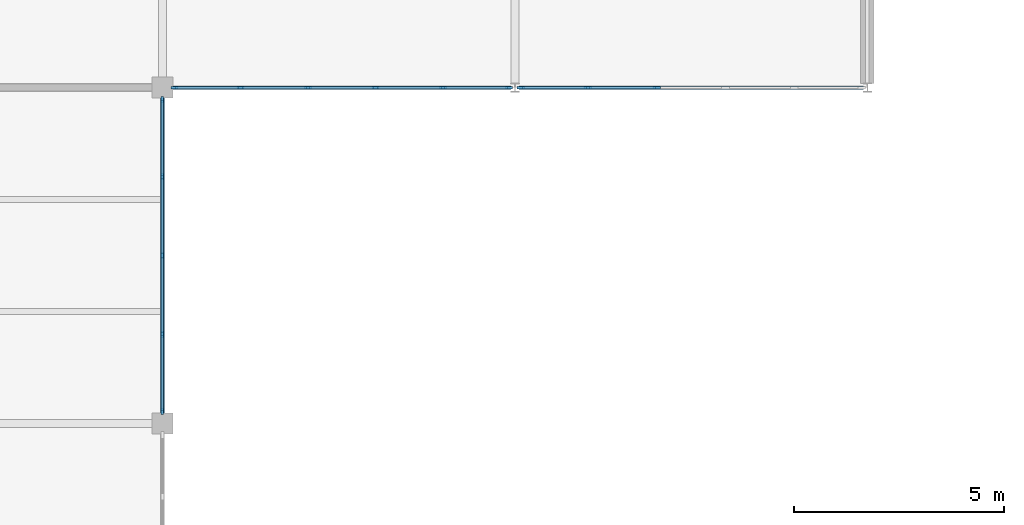
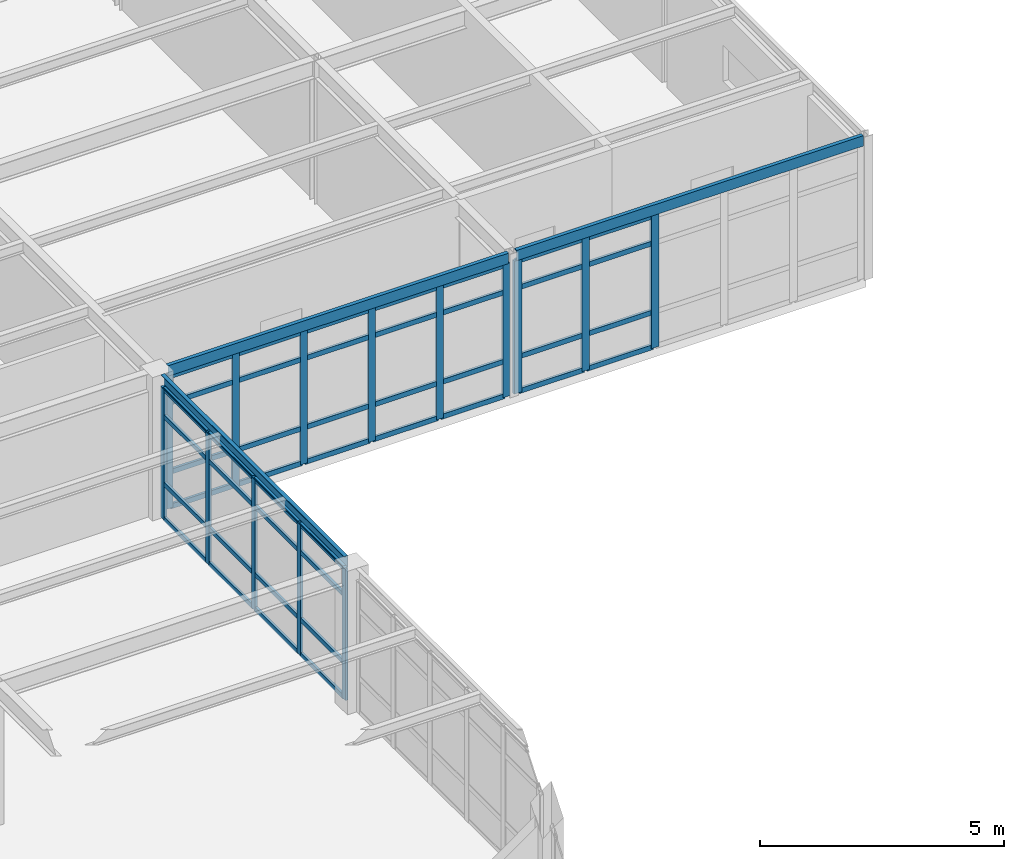
# One storey, part 14 of 32: 58 members, 3 beams, 3 elements without a shape of their own.
"""IFC4 building model written with IfcOpenShell, lengths in metres."""

from ifc_helpers import new_model, si_unit, direction, frame, origin, origin_2d, place, context, subcontext, project, spatial, rectangle, u_section, extrude, material, layer, layer_set, material_profile, profile_set, type_object, element, aggregate, save


model = new_model("IFC4")

# Units and contexts
model_context = context("Model", 3, precision=1e-05, world=origin(), true_north=direction((0.0, 1.0)))
body_context = subcontext(model_context, "Body", "Model", "MODEL_VIEW")
ifc_project = project(units=[si_unit("LENGTHUNIT", "METRE"), si_unit("AREAUNIT", "SQUARE_METRE"), si_unit("VOLUMEUNIT", "CUBIC_METRE"), si_unit("PLANEANGLEUNIT", "RADIAN"), si_unit("MASSUNIT", "GRAM", prefix="KILO")], contexts=[model_context])

# Site, building, storey
site_placement = place(None, origin())
site = spatial("IfcSite", under=ifc_project, at=site_placement, CompositionType="ELEMENT")
building_placement = place(site_placement, origin())
building = spatial("IfcBuilding", under=site, at=building_placement, Name="Kranzveld Transit Interchange", CompositionType="ELEMENT")
storey_placement = place(building_placement, frame((0.0, 0.0, 17.199951171875)))
storey = spatial("IfcBuildingStorey", under=building, at=storey_placement, Name="L04", CompositionType="ELEMENT", Elevation=17.199951171875)

# Curtain wall, members
ifc_material_1 = material(Name="Bronze-anodised thermally broken aluminium", Category="aluminium")
ifc_layer_1 = layer(ifc_material_1, 0.159912109375)
ifc_layer_set_1 = layer_set([ifc_layer_1], Name="Bronze-anodised thermally broken aluminium")
curtain_wall_type_1 = type_object("IfcCurtainWallType", Name="Bus Boarding Glazed Screen CW-3", PredefinedType="USERDEFINED", material=ifc_layer_set_1)
curtain_wall_1_placement = place(storey_placement, origin())
curtain_wall_1 = element("IfcCurtainWall", 1, at=curtain_wall_1_placement, inside=storey, type_object=curtain_wall_type_1, Name="L04 Curtain Wall 05/L-05/M", ObjectType="CURTAIN WALL", PredefinedType="USERDEFINED")
ifc_material_2 = material(Name="Bronze-anodised thermally broken aluminium", Category="aluminium")
ifc_material_profile_1 = material_profile(ifc_material_2, rectangle(XDim=0.06005859375, YDim=0.14990234375, at=origin_2d()), Name="ALU MULLION 60x150")
ifc_profile_set_1 = profile_set([ifc_material_profile_1], Name="Bronze-anodised thermally broken aluminium")
member_type_1 = type_object("IfcMemberType", Name="Curtain Wall Mullion 60x150 Alu", PredefinedType="MULLION", material=ifc_profile_set_1)
member_1_placement = place(storey_placement, frame((33.60009765625, 80.280029296875, 0.0), z_axis=(0.0, 0.0, 1.0), x_axis=(-1.0, 0.0, 0.0)))
member_1 = element("IfcMember", 2, at=member_1_placement, type_object=member_type_1, Name="CW-3 mullion 1", PredefinedType="MULLION", context=body_context, shape_type="SweptSolid", body=[
    extrude(rectangle(XDim=0.06005859375, YDim=0.14990234375, at=origin_2d()), origin(), (0.0, 0.0, 1.0), 3.2900390625),
])
member_2_placement = place(storey_placement, frame((33.60009765625, 82.125, 0.0), z_axis=(0.0, 0.0, 1.0), x_axis=(-1.0, 0.0, 0.0)))
member_2 = element("IfcMember", 3, at=member_2_placement, type_object=member_type_1, Name="CW-3 mullion 2", PredefinedType="MULLION", context=body_context, shape_type="SweptSolid", body=[
    extrude(rectangle(XDim=0.06005859375, YDim=0.14990234375, at=origin_2d()), origin(), (0.0, 0.0, 1.0), 3.2900390625),
])
member_3_placement = place(storey_placement, frame((33.60009765625, 84.0, 0.0), z_axis=(0.0, 0.0, 1.0), x_axis=(-1.0, 0.0, 0.0)))
member_3 = element("IfcMember", 4, at=member_3_placement, type_object=member_type_1, Name="CW-3 mullion 3", PredefinedType="MULLION", context=body_context, shape_type="SweptSolid", body=[
    extrude(rectangle(XDim=0.06005859375, YDim=0.14990234375, at=origin_2d()), origin(), (0.0, 0.0, 1.0), 3.2900390625),
])
member_4_placement = place(storey_placement, frame((33.60009765625, 85.875, 0.0), z_axis=(0.0, 0.0, 1.0), x_axis=(-1.0, 0.0, 0.0)))
member_4 = element("IfcMember", 5, at=member_4_placement, type_object=member_type_1, Name="CW-3 mullion 4", PredefinedType="MULLION", context=body_context, shape_type="SweptSolid", body=[
    extrude(rectangle(XDim=0.06005859375, YDim=0.14990234375, at=origin_2d()), origin(), (0.0, 0.0, 1.0), 3.2900390625),
])
member_5_placement = place(storey_placement, frame((33.60009765625, 87.719970703125, 0.0), z_axis=(0.0, 0.0, 1.0), x_axis=(-1.0, 0.0, 0.0)))
member_5 = element("IfcMember", 6, at=member_5_placement, type_object=member_type_1, Name="CW-3 mullion 5", PredefinedType="MULLION", context=body_context, shape_type="SweptSolid", body=[
    extrude(rectangle(XDim=0.06005859375, YDim=0.14990234375, at=origin_2d()), origin(), (0.0, 0.0, 1.0), 3.2900390625),
])

ifc_material_3 = material(Name="Bronze-anodised thermally broken aluminium", Category="aluminium")
ifc_layer_2 = layer(ifc_material_3, 0.155029296875)
ifc_layer_set_2 = layer_set([ifc_layer_2], Name="Bronze-anodised thermally broken aluminium")
curtain_wall_type_2 = type_object("IfcCurtainWallType", Name="Operations Courtyard Glazed Screen CW-6", PredefinedType="USERDEFINED", material=ifc_layer_set_2)
curtain_wall_2_placement = place(storey_placement, origin())
curtain_wall_2 = element("IfcCurtainWall", 7, at=curtain_wall_2_placement, inside=storey, type_object=curtain_wall_type_2, Name="L04 Curtain Wall 05/M-06/M", ObjectType="CURTAIN WALL", PredefinedType="USERDEFINED")
ifc_material_4 = material(Name="Bronze-anodised thermally broken aluminium", Category="aluminium")
ifc_material_profile_2 = material_profile(ifc_material_4, rectangle(XDim=0.06494140625, YDim=0.1650390625, at=origin_2d()), Name="ALU MULLION 65x165")
ifc_profile_set_2 = profile_set([ifc_material_profile_2], Name="Bronze-anodised thermally broken aluminium")
member_type_2 = type_object("IfcMemberType", Name="Curtain Wall Mullion 65x165 Alu", PredefinedType="MULLION", material=ifc_profile_set_2)
member_6_placement = place(storey_placement, frame((33.882568359375, 88.0, 0.0), z_axis=(0.0, 0.0, 1.0), x_axis=(0.0, 1.0, 0.0)))
member_6 = element("IfcMember", 8, at=member_6_placement, type_object=member_type_2, Name="CW-6 mullion 1", PredefinedType="MULLION", context=body_context, shape_type="SweptSolid", body=[
    extrude(rectangle(XDim=0.06494140625, YDim=0.1650390625, at=origin_2d()), origin(), (0.0, 0.0, 1.0), 3.330078125),
])
member_7_placement = place(storey_placement, frame((35.45947265625, 88.0, 0.0), z_axis=(0.0, 0.0, 1.0), x_axis=(0.0, 1.0, 0.0)))
member_7 = element("IfcMember", 9, at=member_7_placement, type_object=member_type_2, Name="CW-6 mullion 2", PredefinedType="MULLION", context=body_context, shape_type="SweptSolid", body=[
    extrude(rectangle(XDim=0.06494140625, YDim=0.1650390625, at=origin_2d()), origin(), (0.0, 0.0, 1.0), 3.330078125),
])
member_8_placement = place(storey_placement, frame((37.06884765625, 88.0, 0.0), z_axis=(0.0, 0.0, 1.0), x_axis=(0.0, 1.0, 0.0)))
member_8 = element("IfcMember", 10, at=member_8_placement, type_object=member_type_2, Name="CW-6 mullion 3", PredefinedType="MULLION", context=body_context, shape_type="SweptSolid", body=[
    extrude(rectangle(XDim=0.06494140625, YDim=0.1650390625, at=origin_2d()), origin(), (0.0, 0.0, 1.0), 3.330078125),
])
member_9_placement = place(storey_placement, frame((38.67822265625, 88.0, 0.0), z_axis=(0.0, 0.0, 1.0), x_axis=(0.0, 1.0, 0.0)))
member_9 = element("IfcMember", 11, at=member_9_placement, type_object=member_type_2, Name="CW-6 mullion 4", PredefinedType="MULLION", context=body_context, shape_type="SweptSolid", body=[
    extrude(rectangle(XDim=0.06494140625, YDim=0.1650390625, at=origin_2d()), origin(), (0.0, 0.0, 1.0), 3.330078125),
])
member_10_placement = place(storey_placement, frame((40.28759765625, 88.0, 0.0), z_axis=(0.0, 0.0, 1.0), x_axis=(0.0, 1.0, 0.0)))
member_10 = element("IfcMember", 12, at=member_10_placement, type_object=member_type_2, Name="CW-6 mullion 5", PredefinedType="MULLION", context=body_context, shape_type="SweptSolid", body=[
    extrude(rectangle(XDim=0.06494140625, YDim=0.1650390625, at=origin_2d()), origin(), (0.0, 0.0, 1.0), 3.330078125),
])
member_11_placement = place(storey_placement, frame((41.864501953125, 88.0, 0.0), z_axis=(0.0, 0.0, 1.0), x_axis=(0.0, 1.0, 0.0)))
member_11 = element("IfcMember", 13, at=member_11_placement, type_object=member_type_2, Name="CW-6 mullion 6", PredefinedType="MULLION", context=body_context, shape_type="SweptSolid", body=[
    extrude(rectangle(XDim=0.06494140625, YDim=0.1650390625, at=origin_2d()), origin(), (0.0, 0.0, 1.0), 3.330078125),
])

ifc_material_5 = material(Name="Bronze-anodised thermally broken aluminium", Category="aluminium")
ifc_layer_3 = layer(ifc_material_5, 0.1650390625)
ifc_layer_set_3 = layer_set([ifc_layer_3], Name="Bronze-anodised thermally broken aluminium")
curtain_wall_type_3 = type_object("IfcCurtainWallType", Name="Sunny Court Arcade Curtain Wall CW-2", PredefinedType="USERDEFINED", material=ifc_layer_set_3)
curtain_wall_3_placement = place(storey_placement, origin())
curtain_wall_3 = element("IfcCurtainWall", 14, at=curtain_wall_3_placement, inside=storey, type_object=curtain_wall_type_3, Name="L04 Curtain Wall 06/M-07/M", ObjectType="CURTAIN WALL", PredefinedType="USERDEFINED")
ifc_material_6 = material(Name="Bronze-anodised thermally broken aluminium", Category="aluminium")
ifc_material_profile_3 = material_profile(ifc_material_6, rectangle(XDim=0.06494140625, YDim=0.179931640625, at=origin_2d()), Name="ALU MULLION 65x180")
ifc_profile_set_3 = profile_set([ifc_material_profile_3], Name="Bronze-anodised thermally broken aluminium")
member_type_3 = type_object("IfcMemberType", Name="Curtain Wall Mullion 65x180 Alu", PredefinedType="MULLION", material=ifc_profile_set_3)
member_12_placement = place(storey_placement, frame((42.135498046875, 88.0, 0.0), z_axis=(0.0, 0.0, 1.0), x_axis=(0.0, 1.0, 0.0)))
member_12 = element("IfcMember", 15, at=member_12_placement, type_object=member_type_3, Name="CW-2 mullion 1", PredefinedType="MULLION", context=body_context, shape_type="SweptSolid", body=[
    extrude(rectangle(XDim=0.06494140625, YDim=0.179931640625, at=origin_2d()), origin(), (0.0, 0.0, 1.0), 3.330078125),
])
member_13_placement = place(storey_placement, frame((43.74169921875, 88.0, 0.0), z_axis=(0.0, 0.0, 1.0), x_axis=(0.0, 1.0, 0.0)))
member_13 = element("IfcMember", 16, at=member_13_placement, type_object=member_type_3, Name="CW-2 mullion 2", PredefinedType="MULLION", context=body_context, shape_type="SweptSolid", body=[
    extrude(rectangle(XDim=0.06494140625, YDim=0.179931640625, at=origin_2d()), origin(), (0.0, 0.0, 1.0), 3.330078125),
])
member_14_placement = place(storey_placement, frame((45.380615234375, 88.0, 0.0), z_axis=(0.0, 0.0, 1.0), x_axis=(0.0, 1.0, 0.0)))
member_14 = element("IfcMember", 17, at=member_14_placement, type_object=member_type_3, Name="CW-2 mullion 3", PredefinedType="MULLION", context=body_context, shape_type="SweptSolid", body=[
    extrude(rectangle(XDim=0.06494140625, YDim=0.179931640625, at=origin_2d()), origin(), (0.0, 0.0, 1.0), 3.330078125),
])

# Member
ifc_material_7 = material(Name="Bronze-anodised thermally broken aluminium", Category="aluminium")
ifc_material_profile_4 = material_profile(ifc_material_7, rectangle(XDim=0.06005859375, YDim=0.110107421875, at=origin_2d()), Name="ALU TRANSOM 60x110")
ifc_profile_set_4 = profile_set([ifc_material_profile_4], Name="Bronze-anodised thermally broken aluminium")
member_type_4 = type_object("IfcMemberType", Name="Curtain Wall Transom 60x110 Alu", PredefinedType="USERDEFINED", material=ifc_profile_set_4)
member_15_placement = place(storey_placement, frame((33.60009765625, 80.31005859375, 0.030029296875), z_axis=(0.0, 1.0, 0.0), x_axis=(-1.0, 0.0, 0.0)))
member_15 = element("IfcMember", 18, at=member_15_placement, type_object=member_type_4, Name="CW-3 transom 1.1", ObjectType="TRANSOM", PredefinedType="USERDEFINED", context=body_context, shape_type="SweptSolid", body=[
    extrude(rectangle(XDim=0.06005859375, YDim=0.110107421875, at=origin_2d()), origin(), (0.0, 0.0, 1.0), 1.784912109375),
])

member_16_placement = place(storey_placement, frame((33.60009765625, 80.31005859375, 0.900146484375), z_axis=(0.0, 1.0, 0.0), x_axis=(-1.0, 0.0, 0.0)))
member_16 = element("IfcMember", 19, at=member_16_placement, type_object=member_type_4, Name="CW-3 transom 1.2", ObjectType="TRANSOM", PredefinedType="USERDEFINED", context=body_context, shape_type="SweptSolid", body=[
    extrude(rectangle(XDim=0.06005859375, YDim=0.110107421875, at=origin_2d()), origin(), (0.0, 0.0, 1.0), 1.784912109375),
])

member_17_placement = place(storey_placement, frame((33.60009765625, 80.31005859375, 2.590087890625), z_axis=(0.0, 1.0, 0.0), x_axis=(-1.0, 0.0, 0.0)))
member_17 = element("IfcMember", 20, at=member_17_placement, type_object=member_type_4, Name="CW-3 transom 1.3", ObjectType="TRANSOM", PredefinedType="USERDEFINED", context=body_context, shape_type="SweptSolid", body=[
    extrude(rectangle(XDim=0.06005859375, YDim=0.110107421875, at=origin_2d()), origin(), (0.0, 0.0, 1.0), 1.784912109375),
])

member_18_placement = place(storey_placement, frame((33.60009765625, 80.31005859375, 3.260009765625), z_axis=(0.0, 1.0, 0.0), x_axis=(-1.0, 0.0, 0.0)))
member_18 = element("IfcMember", 21, at=member_18_placement, type_object=member_type_4, Name="CW-3 transom 1.4", ObjectType="TRANSOM", PredefinedType="USERDEFINED", context=body_context, shape_type="SweptSolid", body=[
    extrude(rectangle(XDim=0.06005859375, YDim=0.110107421875, at=origin_2d()), origin(), (0.0, 0.0, 1.0), 1.784912109375),
])

member_19_placement = place(storey_placement, frame((33.60009765625, 82.155029296875, 0.030029296875), z_axis=(0.0, 1.0, 0.0), x_axis=(-1.0, 0.0, 0.0)))
member_19 = element("IfcMember", 22, at=member_19_placement, type_object=member_type_4, Name="CW-3 transom 2.1", ObjectType="TRANSOM", PredefinedType="USERDEFINED", context=body_context, shape_type="SweptSolid", body=[
    extrude(rectangle(XDim=0.06005859375, YDim=0.110107421875, at=origin_2d()), origin(), (0.0, 0.0, 1.0), 1.81494140625),
])

member_20_placement = place(storey_placement, frame((33.60009765625, 82.155029296875, 0.900146484375), z_axis=(0.0, 1.0, 0.0), x_axis=(-1.0, 0.0, 0.0)))
member_20 = element("IfcMember", 23, at=member_20_placement, type_object=member_type_4, Name="CW-3 transom 2.2", ObjectType="TRANSOM", PredefinedType="USERDEFINED", context=body_context, shape_type="SweptSolid", body=[
    extrude(rectangle(XDim=0.06005859375, YDim=0.110107421875, at=origin_2d()), origin(), (0.0, 0.0, 1.0), 1.81494140625),
])

member_21_placement = place(storey_placement, frame((33.60009765625, 82.155029296875, 2.590087890625), z_axis=(0.0, 1.0, 0.0), x_axis=(-1.0, 0.0, 0.0)))
member_21 = element("IfcMember", 24, at=member_21_placement, type_object=member_type_4, Name="CW-3 transom 2.3", ObjectType="TRANSOM", PredefinedType="USERDEFINED", context=body_context, shape_type="SweptSolid", body=[
    extrude(rectangle(XDim=0.06005859375, YDim=0.110107421875, at=origin_2d()), origin(), (0.0, 0.0, 1.0), 1.81494140625),
])

member_22_placement = place(storey_placement, frame((33.60009765625, 82.155029296875, 3.260009765625), z_axis=(0.0, 1.0, 0.0), x_axis=(-1.0, 0.0, 0.0)))
member_22 = element("IfcMember", 25, at=member_22_placement, type_object=member_type_4, Name="CW-3 transom 2.4", ObjectType="TRANSOM", PredefinedType="USERDEFINED", context=body_context, shape_type="SweptSolid", body=[
    extrude(rectangle(XDim=0.06005859375, YDim=0.110107421875, at=origin_2d()), origin(), (0.0, 0.0, 1.0), 1.81494140625),
])

member_23_placement = place(storey_placement, frame((33.60009765625, 84.030029296875, 0.030029296875), z_axis=(0.0, 1.0, 0.0), x_axis=(-1.0, 0.0, 0.0)))
member_23 = element("IfcMember", 26, at=member_23_placement, type_object=member_type_4, Name="CW-3 transom 3.1", ObjectType="TRANSOM", PredefinedType="USERDEFINED", context=body_context, shape_type="SweptSolid", body=[
    extrude(rectangle(XDim=0.06005859375, YDim=0.110107421875, at=origin_2d()), origin(), (0.0, 0.0, 1.0), 1.81494140625),
])

member_24_placement = place(storey_placement, frame((33.60009765625, 84.030029296875, 0.900146484375), z_axis=(0.0, 1.0, 0.0), x_axis=(-1.0, 0.0, 0.0)))
member_24 = element("IfcMember", 27, at=member_24_placement, type_object=member_type_4, Name="CW-3 transom 3.2", ObjectType="TRANSOM", PredefinedType="USERDEFINED", context=body_context, shape_type="SweptSolid", body=[
    extrude(rectangle(XDim=0.06005859375, YDim=0.110107421875, at=origin_2d()), origin(), (0.0, 0.0, 1.0), 1.81494140625),
])

member_25_placement = place(storey_placement, frame((33.60009765625, 84.030029296875, 2.590087890625), z_axis=(0.0, 1.0, 0.0), x_axis=(-1.0, 0.0, 0.0)))
member_25 = element("IfcMember", 28, at=member_25_placement, type_object=member_type_4, Name="CW-3 transom 3.3", ObjectType="TRANSOM", PredefinedType="USERDEFINED", context=body_context, shape_type="SweptSolid", body=[
    extrude(rectangle(XDim=0.06005859375, YDim=0.110107421875, at=origin_2d()), origin(), (0.0, 0.0, 1.0), 1.81494140625),
])

member_26_placement = place(storey_placement, frame((33.60009765625, 84.030029296875, 3.260009765625), z_axis=(0.0, 1.0, 0.0), x_axis=(-1.0, 0.0, 0.0)))
member_26 = element("IfcMember", 29, at=member_26_placement, type_object=member_type_4, Name="CW-3 transom 3.4", ObjectType="TRANSOM", PredefinedType="USERDEFINED", context=body_context, shape_type="SweptSolid", body=[
    extrude(rectangle(XDim=0.06005859375, YDim=0.110107421875, at=origin_2d()), origin(), (0.0, 0.0, 1.0), 1.81494140625),
])

member_27_placement = place(storey_placement, frame((33.60009765625, 85.905029296875, 0.030029296875), z_axis=(0.0, 1.0, 0.0), x_axis=(-1.0, 0.0, 0.0)))
member_27 = element("IfcMember", 30, at=member_27_placement, type_object=member_type_4, Name="CW-3 transom 4.1", ObjectType="TRANSOM", PredefinedType="USERDEFINED", context=body_context, shape_type="SweptSolid", body=[
    extrude(rectangle(XDim=0.06005859375, YDim=0.110107421875, at=origin_2d()), origin(), (0.0, 0.0, 1.0), 1.784912109375),
])

member_28_placement = place(storey_placement, frame((33.60009765625, 85.905029296875, 0.900146484375), z_axis=(0.0, 1.0, 0.0), x_axis=(-1.0, 0.0, 0.0)))
member_28 = element("IfcMember", 31, at=member_28_placement, type_object=member_type_4, Name="CW-3 transom 4.2", ObjectType="TRANSOM", PredefinedType="USERDEFINED", context=body_context, shape_type="SweptSolid", body=[
    extrude(rectangle(XDim=0.06005859375, YDim=0.110107421875, at=origin_2d()), origin(), (0.0, 0.0, 1.0), 1.784912109375),
])

member_29_placement = place(storey_placement, frame((33.60009765625, 85.905029296875, 2.590087890625), z_axis=(0.0, 1.0, 0.0), x_axis=(-1.0, 0.0, 0.0)))
member_29 = element("IfcMember", 32, at=member_29_placement, type_object=member_type_4, Name="CW-3 transom 4.3", ObjectType="TRANSOM", PredefinedType="USERDEFINED", context=body_context, shape_type="SweptSolid", body=[
    extrude(rectangle(XDim=0.06005859375, YDim=0.110107421875, at=origin_2d()), origin(), (0.0, 0.0, 1.0), 1.784912109375),
])

member_30_placement = place(storey_placement, frame((33.60009765625, 85.905029296875, 3.260009765625), z_axis=(0.0, 1.0, 0.0), x_axis=(-1.0, 0.0, 0.0)))
member_30 = element("IfcMember", 33, at=member_30_placement, type_object=member_type_4, Name="CW-3 transom 4.4", ObjectType="TRANSOM", PredefinedType="USERDEFINED", context=body_context, shape_type="SweptSolid", body=[
    extrude(rectangle(XDim=0.06005859375, YDim=0.110107421875, at=origin_2d()), origin(), (0.0, 0.0, 1.0), 1.784912109375),
])

aggregate(curtain_wall_1, [member_1, member_2, member_3, member_4, member_5, member_15, member_16, member_17, member_18, member_19, member_20, member_21, member_22, member_23, member_24, member_25, member_26, member_27, member_28, member_29, member_30])

ifc_material_8 = material(Name="Bronze-anodised thermally broken aluminium", Category="aluminium")
ifc_material_profile_5 = material_profile(ifc_material_8, rectangle(XDim=0.06005859375, YDim=0.125, at=origin_2d()), Name="ALU TRANSOM 60x125")
ifc_profile_set_5 = profile_set([ifc_material_profile_5], Name="Bronze-anodised thermally broken aluminium")
member_type_5 = type_object("IfcMemberType", Name="Curtain Wall Transom 60x125 Alu", PredefinedType="USERDEFINED", material=ifc_profile_set_5)
member_31_placement = place(storey_placement, frame((33.9150390625, 88.0, 0.030029296875), z_axis=(1.0, 0.0, 0.0), x_axis=(0.0, 1.0, 0.0)))
member_31 = element("IfcMember", 34, at=member_31_placement, type_object=member_type_5, Name="CW-6 transom 1.1", ObjectType="TRANSOM", PredefinedType="USERDEFINED", context=body_context, shape_type="SweptSolid", body=[
    extrude(rectangle(XDim=0.06005859375, YDim=0.125, at=origin_2d()), origin(), (0.0, 0.0, 1.0), 1.511962890625),
])

member_32_placement = place(storey_placement, frame((33.9150390625, 88.0, 0.900146484375), z_axis=(1.0, 0.0, 0.0), x_axis=(0.0, 1.0, 0.0)))
member_32 = element("IfcMember", 35, at=member_32_placement, type_object=member_type_5, Name="CW-6 transom 1.2", ObjectType="TRANSOM", PredefinedType="USERDEFINED", context=body_context, shape_type="SweptSolid", body=[
    extrude(rectangle(XDim=0.06005859375, YDim=0.125, at=origin_2d()), origin(), (0.0, 0.0, 1.0), 1.511962890625),
])

member_33_placement = place(storey_placement, frame((33.9150390625, 88.0, 2.630126953125), z_axis=(1.0, 0.0, 0.0), x_axis=(0.0, 1.0, 0.0)))
member_33 = element("IfcMember", 36, at=member_33_placement, type_object=member_type_5, Name="CW-6 transom 1.3", ObjectType="TRANSOM", PredefinedType="USERDEFINED", context=body_context, shape_type="SweptSolid", body=[
    extrude(rectangle(XDim=0.06005859375, YDim=0.125, at=origin_2d()), origin(), (0.0, 0.0, 1.0), 1.511962890625),
])

member_34_placement = place(storey_placement, frame((33.9150390625, 88.0, 3.300048828125), z_axis=(1.0, 0.0, 0.0), x_axis=(0.0, 1.0, 0.0)))
member_34 = element("IfcMember", 37, at=member_34_placement, type_object=member_type_5, Name="CW-6 transom 1.4", ObjectType="TRANSOM", PredefinedType="USERDEFINED", context=body_context, shape_type="SweptSolid", body=[
    extrude(rectangle(XDim=0.06005859375, YDim=0.125, at=origin_2d()), origin(), (0.0, 0.0, 1.0), 1.511962890625),
])

member_35_placement = place(storey_placement, frame((35.491943359375, 88.0, 0.030029296875), z_axis=(1.0, 0.0, 0.0), x_axis=(0.0, 1.0, 0.0)))
member_35 = element("IfcMember", 38, at=member_35_placement, type_object=member_type_5, Name="CW-6 transom 2.1", ObjectType="TRANSOM", PredefinedType="USERDEFINED", context=body_context, shape_type="SweptSolid", body=[
    extrude(rectangle(XDim=0.06005859375, YDim=0.125, at=origin_2d()), origin(), (0.0, 0.0, 1.0), 1.54443359375),
])

member_36_placement = place(storey_placement, frame((35.491943359375, 88.0, 0.900146484375), z_axis=(1.0, 0.0, 0.0), x_axis=(0.0, 1.0, 0.0)))
member_36 = element("IfcMember", 39, at=member_36_placement, type_object=member_type_5, Name="CW-6 transom 2.2", ObjectType="TRANSOM", PredefinedType="USERDEFINED", context=body_context, shape_type="SweptSolid", body=[
    extrude(rectangle(XDim=0.06005859375, YDim=0.125, at=origin_2d()), origin(), (0.0, 0.0, 1.0), 1.54443359375),
])

member_37_placement = place(storey_placement, frame((35.491943359375, 88.0, 2.630126953125), z_axis=(1.0, 0.0, 0.0), x_axis=(0.0, 1.0, 0.0)))
member_37 = element("IfcMember", 40, at=member_37_placement, type_object=member_type_5, Name="CW-6 transom 2.3", ObjectType="TRANSOM", PredefinedType="USERDEFINED", context=body_context, shape_type="SweptSolid", body=[
    extrude(rectangle(XDim=0.06005859375, YDim=0.125, at=origin_2d()), origin(), (0.0, 0.0, 1.0), 1.54443359375),
])

member_38_placement = place(storey_placement, frame((35.491943359375, 88.0, 3.300048828125), z_axis=(1.0, 0.0, 0.0), x_axis=(0.0, 1.0, 0.0)))
member_38 = element("IfcMember", 41, at=member_38_placement, type_object=member_type_5, Name="CW-6 transom 2.4", ObjectType="TRANSOM", PredefinedType="USERDEFINED", context=body_context, shape_type="SweptSolid", body=[
    extrude(rectangle(XDim=0.06005859375, YDim=0.125, at=origin_2d()), origin(), (0.0, 0.0, 1.0), 1.54443359375),
])

member_39_placement = place(storey_placement, frame((37.101318359375, 88.0, 0.030029296875), z_axis=(1.0, 0.0, 0.0), x_axis=(0.0, 1.0, 0.0)))
member_39 = element("IfcMember", 42, at=member_39_placement, type_object=member_type_5, Name="CW-6 transom 3.1", ObjectType="TRANSOM", PredefinedType="USERDEFINED", context=body_context, shape_type="SweptSolid", body=[
    extrude(rectangle(XDim=0.06005859375, YDim=0.125, at=origin_2d()), origin(), (0.0, 0.0, 1.0), 1.54443359375),
])

member_40_placement = place(storey_placement, frame((37.101318359375, 88.0, 0.900146484375), z_axis=(1.0, 0.0, 0.0), x_axis=(0.0, 1.0, 0.0)))
member_40 = element("IfcMember", 43, at=member_40_placement, type_object=member_type_5, Name="CW-6 transom 3.2", ObjectType="TRANSOM", PredefinedType="USERDEFINED", context=body_context, shape_type="SweptSolid", body=[
    extrude(rectangle(XDim=0.06005859375, YDim=0.125, at=origin_2d()), origin(), (0.0, 0.0, 1.0), 1.54443359375),
])

member_41_placement = place(storey_placement, frame((37.101318359375, 88.0, 2.630126953125), z_axis=(1.0, 0.0, 0.0), x_axis=(0.0, 1.0, 0.0)))
member_41 = element("IfcMember", 44, at=member_41_placement, type_object=member_type_5, Name="CW-6 transom 3.3", ObjectType="TRANSOM", PredefinedType="USERDEFINED", context=body_context, shape_type="SweptSolid", body=[
    extrude(rectangle(XDim=0.06005859375, YDim=0.125, at=origin_2d()), origin(), (0.0, 0.0, 1.0), 1.54443359375),
])

member_42_placement = place(storey_placement, frame((37.101318359375, 88.0, 3.300048828125), z_axis=(1.0, 0.0, 0.0), x_axis=(0.0, 1.0, 0.0)))
member_42 = element("IfcMember", 45, at=member_42_placement, type_object=member_type_5, Name="CW-6 transom 3.4", ObjectType="TRANSOM", PredefinedType="USERDEFINED", context=body_context, shape_type="SweptSolid", body=[
    extrude(rectangle(XDim=0.06005859375, YDim=0.125, at=origin_2d()), origin(), (0.0, 0.0, 1.0), 1.54443359375),
])

member_43_placement = place(storey_placement, frame((38.710693359375, 88.0, 0.030029296875), z_axis=(1.0, 0.0, 0.0), x_axis=(0.0, 1.0, 0.0)))
member_43 = element("IfcMember", 46, at=member_43_placement, type_object=member_type_5, Name="CW-6 transom 4.1", ObjectType="TRANSOM", PredefinedType="USERDEFINED", context=body_context, shape_type="SweptSolid", body=[
    extrude(rectangle(XDim=0.06005859375, YDim=0.125, at=origin_2d()), origin(), (0.0, 0.0, 1.0), 1.54443359375),
])

member_44_placement = place(storey_placement, frame((38.710693359375, 88.0, 0.900146484375), z_axis=(1.0, 0.0, 0.0), x_axis=(0.0, 1.0, 0.0)))
member_44 = element("IfcMember", 47, at=member_44_placement, type_object=member_type_5, Name="CW-6 transom 4.2", ObjectType="TRANSOM", PredefinedType="USERDEFINED", context=body_context, shape_type="SweptSolid", body=[
    extrude(rectangle(XDim=0.06005859375, YDim=0.125, at=origin_2d()), origin(), (0.0, 0.0, 1.0), 1.54443359375),
])

member_45_placement = place(storey_placement, frame((38.710693359375, 88.0, 2.630126953125), z_axis=(1.0, 0.0, 0.0), x_axis=(0.0, 1.0, 0.0)))
member_45 = element("IfcMember", 48, at=member_45_placement, type_object=member_type_5, Name="CW-6 transom 4.3", ObjectType="TRANSOM", PredefinedType="USERDEFINED", context=body_context, shape_type="SweptSolid", body=[
    extrude(rectangle(XDim=0.06005859375, YDim=0.125, at=origin_2d()), origin(), (0.0, 0.0, 1.0), 1.54443359375),
])

member_46_placement = place(storey_placement, frame((38.710693359375, 88.0, 3.300048828125), z_axis=(1.0, 0.0, 0.0), x_axis=(0.0, 1.0, 0.0)))
member_46 = element("IfcMember", 49, at=member_46_placement, type_object=member_type_5, Name="CW-6 transom 4.4", ObjectType="TRANSOM", PredefinedType="USERDEFINED", context=body_context, shape_type="SweptSolid", body=[
    extrude(rectangle(XDim=0.06005859375, YDim=0.125, at=origin_2d()), origin(), (0.0, 0.0, 1.0), 1.54443359375),
])

member_47_placement = place(storey_placement, frame((40.320068359375, 88.0, 0.030029296875), z_axis=(1.0, 0.0, 0.0), x_axis=(0.0, 1.0, 0.0)))
member_47 = element("IfcMember", 50, at=member_47_placement, type_object=member_type_5, Name="CW-6 transom 5.1", ObjectType="TRANSOM", PredefinedType="USERDEFINED", context=body_context, shape_type="SweptSolid", body=[
    extrude(rectangle(XDim=0.06005859375, YDim=0.125, at=origin_2d()), origin(), (0.0, 0.0, 1.0), 1.511962890625),
])

member_48_placement = place(storey_placement, frame((40.320068359375, 88.0, 0.900146484375), z_axis=(1.0, 0.0, 0.0), x_axis=(0.0, 1.0, 0.0)))
member_48 = element("IfcMember", 51, at=member_48_placement, type_object=member_type_5, Name="CW-6 transom 5.2", ObjectType="TRANSOM", PredefinedType="USERDEFINED", context=body_context, shape_type="SweptSolid", body=[
    extrude(rectangle(XDim=0.06005859375, YDim=0.125, at=origin_2d()), origin(), (0.0, 0.0, 1.0), 1.511962890625),
])

member_49_placement = place(storey_placement, frame((40.320068359375, 88.0, 2.630126953125), z_axis=(1.0, 0.0, 0.0), x_axis=(0.0, 1.0, 0.0)))
member_49 = element("IfcMember", 52, at=member_49_placement, type_object=member_type_5, Name="CW-6 transom 5.3", ObjectType="TRANSOM", PredefinedType="USERDEFINED", context=body_context, shape_type="SweptSolid", body=[
    extrude(rectangle(XDim=0.06005859375, YDim=0.125, at=origin_2d()), origin(), (0.0, 0.0, 1.0), 1.511962890625),
])

member_50_placement = place(storey_placement, frame((40.320068359375, 88.0, 3.300048828125), z_axis=(1.0, 0.0, 0.0), x_axis=(0.0, 1.0, 0.0)))
member_50 = element("IfcMember", 53, at=member_50_placement, type_object=member_type_5, Name="CW-6 transom 5.4", ObjectType="TRANSOM", PredefinedType="USERDEFINED", context=body_context, shape_type="SweptSolid", body=[
    extrude(rectangle(XDim=0.06005859375, YDim=0.125, at=origin_2d()), origin(), (0.0, 0.0, 1.0), 1.511962890625),
])

aggregate(curtain_wall_2, [member_6, member_7, member_8, member_9, member_10, member_11, member_31, member_32, member_33, member_34, member_35, member_36, member_37, member_38, member_39, member_40, member_41, member_42, member_43, member_44, member_45, member_46, member_47, member_48, member_49, member_50])

member_51_placement = place(storey_placement, frame((42.16796875, 88.0, 0.030029296875), z_axis=(1.0, 0.0, 0.0), x_axis=(0.0, 1.0, 0.0)))
member_51 = element("IfcMember", 54, at=member_51_placement, type_object=member_type_5, Name="CW-2 transom 1.1", ObjectType="TRANSOM", PredefinedType="USERDEFINED", context=body_context, shape_type="SweptSolid", body=[
    extrude(rectangle(XDim=0.06005859375, YDim=0.125, at=origin_2d()), origin(), (0.0, 0.0, 1.0), 1.541259765625),
])

member_52_placement = place(storey_placement, frame((42.16796875, 88.0, 0.900146484375), z_axis=(1.0, 0.0, 0.0), x_axis=(0.0, 1.0, 0.0)))
member_52 = element("IfcMember", 55, at=member_52_placement, type_object=member_type_5, Name="CW-2 transom 1.2", ObjectType="TRANSOM", PredefinedType="USERDEFINED", context=body_context, shape_type="SweptSolid", body=[
    extrude(rectangle(XDim=0.06005859375, YDim=0.125, at=origin_2d()), origin(), (0.0, 0.0, 1.0), 1.541259765625),
])

member_53_placement = place(storey_placement, frame((42.16796875, 88.0, 2.630126953125), z_axis=(1.0, 0.0, 0.0), x_axis=(0.0, 1.0, 0.0)))
member_53 = element("IfcMember", 56, at=member_53_placement, type_object=member_type_5, Name="CW-2 transom 1.3", ObjectType="TRANSOM", PredefinedType="USERDEFINED", context=body_context, shape_type="SweptSolid", body=[
    extrude(rectangle(XDim=0.06005859375, YDim=0.125, at=origin_2d()), origin(), (0.0, 0.0, 1.0), 1.541259765625),
])

member_54_placement = place(storey_placement, frame((42.16796875, 88.0, 3.300048828125), z_axis=(1.0, 0.0, 0.0), x_axis=(0.0, 1.0, 0.0)))
member_54 = element("IfcMember", 57, at=member_54_placement, type_object=member_type_5, Name="CW-2 transom 1.4", ObjectType="TRANSOM", PredefinedType="USERDEFINED", context=body_context, shape_type="SweptSolid", body=[
    extrude(rectangle(XDim=0.06005859375, YDim=0.125, at=origin_2d()), origin(), (0.0, 0.0, 1.0), 1.541259765625),
])

member_55_placement = place(storey_placement, frame((43.774169921875, 88.0, 0.030029296875), z_axis=(1.0, 0.0, 0.0), x_axis=(0.0, 1.0, 0.0)))
member_55 = element("IfcMember", 58, at=member_55_placement, type_object=member_type_5, Name="CW-2 transom 2.1", ObjectType="TRANSOM", PredefinedType="USERDEFINED", context=body_context, shape_type="SweptSolid", body=[
    extrude(rectangle(XDim=0.06005859375, YDim=0.125, at=origin_2d()), origin(), (0.0, 0.0, 1.0), 1.573974609375),
])

member_56_placement = place(storey_placement, frame((43.774169921875, 88.0, 0.900146484375), z_axis=(1.0, 0.0, 0.0), x_axis=(0.0, 1.0, 0.0)))
member_56 = element("IfcMember", 59, at=member_56_placement, type_object=member_type_5, Name="CW-2 transom 2.2", ObjectType="TRANSOM", PredefinedType="USERDEFINED", context=body_context, shape_type="SweptSolid", body=[
    extrude(rectangle(XDim=0.06005859375, YDim=0.125, at=origin_2d()), origin(), (0.0, 0.0, 1.0), 1.573974609375),
])

member_57_placement = place(storey_placement, frame((43.774169921875, 88.0, 2.630126953125), z_axis=(1.0, 0.0, 0.0), x_axis=(0.0, 1.0, 0.0)))
member_57 = element("IfcMember", 60, at=member_57_placement, type_object=member_type_5, Name="CW-2 transom 2.3", ObjectType="TRANSOM", PredefinedType="USERDEFINED", context=body_context, shape_type="SweptSolid", body=[
    extrude(rectangle(XDim=0.06005859375, YDim=0.125, at=origin_2d()), origin(), (0.0, 0.0, 1.0), 1.573974609375),
])

member_58_placement = place(storey_placement, frame((43.774169921875, 88.0, 3.300048828125), z_axis=(1.0, 0.0, 0.0), x_axis=(0.0, 1.0, 0.0)))
member_58 = element("IfcMember", 61, at=member_58_placement, type_object=member_type_5, Name="CW-2 transom 2.4", ObjectType="TRANSOM", PredefinedType="USERDEFINED", context=body_context, shape_type="SweptSolid", body=[
    extrude(rectangle(XDim=0.06005859375, YDim=0.125, at=origin_2d()), origin(), (0.0, 0.0, 1.0), 1.573974609375),
])

aggregate(curtain_wall_3, [member_12, member_13, member_14, member_51, member_52, member_53, member_54, member_55, member_56, member_57, member_58])

# Beams
ifc_material_9 = material(Name="Steel S355JR", Category="steel")
ifc_material_profile_6 = material_profile(ifc_material_9, u_section(Depth=0.260009765625, FlangeWidth=0.090087890625, WebThickness=0.008056640625, FlangeThickness=0.013916015625, FilletRadius=0.011962890625, at=origin_2d()), Name="PFC 260x90x35")
ifc_profile_set_6 = profile_set([ifc_material_profile_6], Name="Steel S355JR")
beam_type_1 = type_object("IfcBeamType", Name="Edge Spandrel PFC 260x90x35 S355JR", PredefinedType="SPANDREL", material=ifc_profile_set_6)
beam_1_placement = place(storey_placement, frame((33.840087890625, 88.0, 3.4599609375), z_axis=(1.0, 0.0, 0.0), x_axis=(0.0, 1.0, 0.0)))
element("IfcBeam", 62, at=beam_1_placement, inside=storey, type_object=beam_type_1, Name="L04 Girder 05-06/M", PredefinedType="SPANDREL", context=body_context, shape_type="SweptSolid", body=[
    extrude(u_section(Depth=0.260009765625, FlangeWidth=0.090087890625, WebThickness=0.008056640625, FlangeThickness=0.013916015625, FilletRadius=0.011962890625, at=origin_2d()), origin(), (0.0, 0.0, 1.0), 8.06689453125),
])
beam_2_placement = place(storey_placement, frame((42.093017578125, 88.0, 3.4599609375), z_axis=(1.0, 0.0, 0.0), x_axis=(0.0, 1.0, 0.0)))
element("IfcBeam", 63, at=beam_2_placement, inside=storey, type_object=beam_type_1, Name="L04 Girder 06-07/M", PredefinedType="SPANDREL", context=body_context, shape_type="SweptSolid", body=[
    extrude(u_section(Depth=0.260009765625, FlangeWidth=0.090087890625, WebThickness=0.008056640625, FlangeThickness=0.013916015625, FilletRadius=0.011962890625, at=origin_2d()), origin(), (0.0, 0.0, 1.0), 8.214111328125),
])
ifc_material_10 = material(Name="Steel S355JR", Category="steel")
ifc_material_profile_7 = material_profile(ifc_material_10, u_section(Depth=0.300048828125, FlangeWidth=0.090087890625, WebThickness=0.009033203125, FlangeThickness=0.015380859375, FilletRadius=0.011962890625, at=origin_2d()), Name="PFC 300x90x41")
ifc_profile_set_7 = profile_set([ifc_material_profile_7], Name="Steel S355JR")
beam_type_2 = type_object("IfcBeamType", Name="Edge Spandrel PFC 300x90x41 S355JR", PredefinedType="SPANDREL", material=ifc_profile_set_7)
beam_3_placement = place(storey_placement, frame((33.60009765625, 80.239990234375, 3.43994140625), z_axis=(0.0, 1.0, 0.0), x_axis=(-1.0, 0.0, 0.0)))
element("IfcBeam", 64, at=beam_3_placement, inside=storey, type_object=beam_type_2, Name="L04 Girder 05/L-M", PredefinedType="SPANDREL", context=body_context, shape_type="SweptSolid", body=[
    extrude(u_section(Depth=0.300048828125, FlangeWidth=0.090087890625, WebThickness=0.009033203125, FlangeThickness=0.015380859375, FilletRadius=0.011962890625, at=origin_2d()), origin(), (0.0, 0.0, 1.0), 7.52001953125),
])

save(model, "model.ifc")
